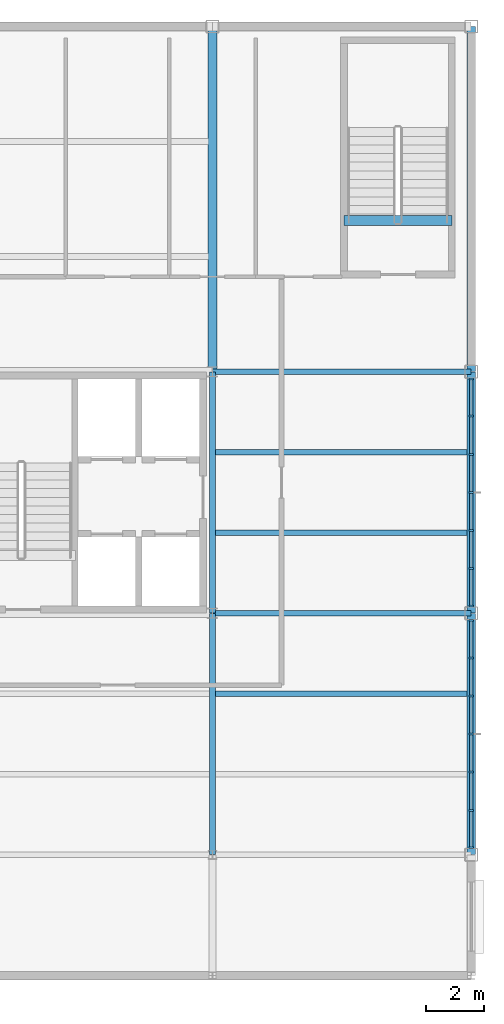
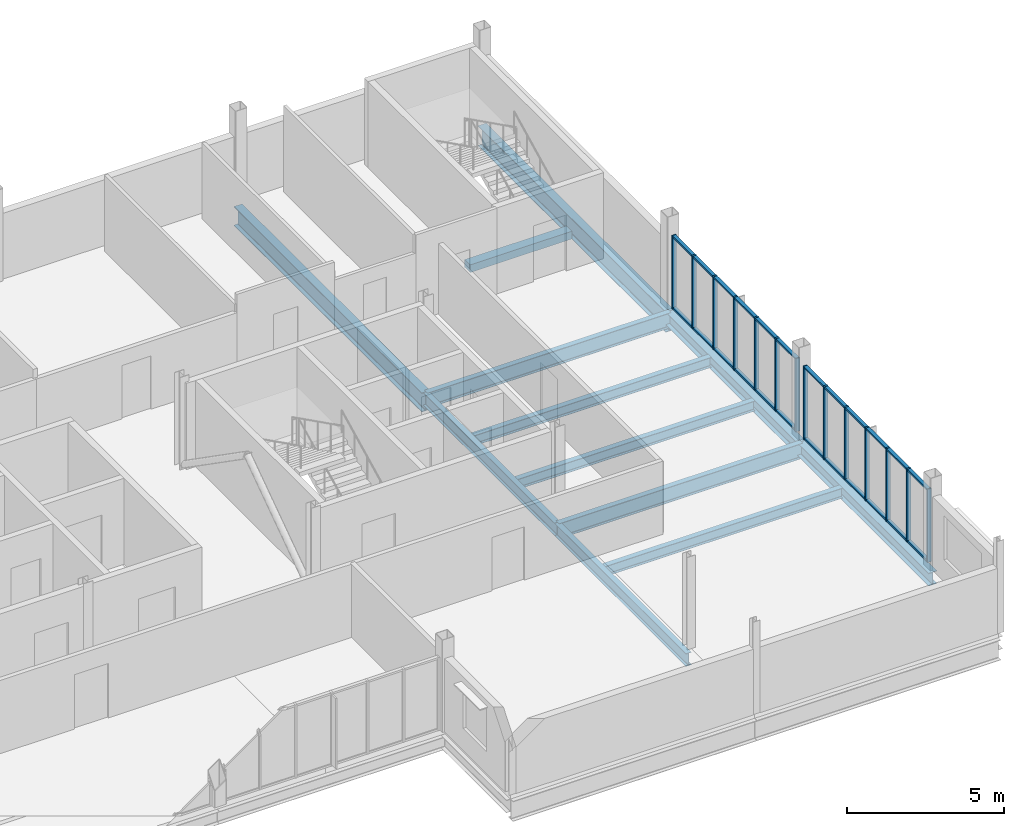
# One storey, part 8 of 16: 38 members, 12 beams, 2 elements without a shape of their own.
"""IFC4 building model written with IfcOpenShell, lengths in metres."""

from ifc_helpers import new_model, si_unit, direction, frame, origin, origin_2d, place, context, subcontext, project, spatial, rectangle, i_section, extrude, material, layer, layer_set, material_profile, profile_set, type_object, element, aggregate, save


model = new_model("IFC4")

# Units and contexts
model_context = context("Model", 3, precision=1e-05, world=origin(), true_north=direction((0.0, 1.0)))
body_context = subcontext(model_context, "Body", "Model", "MODEL_VIEW")
ifc_project = project(units=[si_unit("LENGTHUNIT", "METRE"), si_unit("AREAUNIT", "SQUARE_METRE"), si_unit("VOLUMEUNIT", "CUBIC_METRE"), si_unit("PLANEANGLEUNIT", "RADIAN"), si_unit("MASSUNIT", "GRAM", prefix="KILO")], contexts=[model_context])

# Site, building, storey
site_placement = place(None, origin())
site = spatial("IfcSite", under=ifc_project, at=site_placement, CompositionType="ELEMENT")
building_placement = place(site_placement, origin())
building = spatial("IfcBuilding", under=site, at=building_placement, Name="Yukiwa Park Conservatory and Herbarium", CompositionType="ELEMENT")
storey_placement = place(building_placement, frame((0.0, 0.0, 43.199951171875)))
storey = spatial("IfcBuildingStorey", under=building, at=storey_placement, Name="L11", CompositionType="ELEMENT", Elevation=43.199951171875)

# Beams
ifc_material_1 = material(Name="Steel Q355D", Category="steel")
ifc_material_profile_1 = material_profile(ifc_material_1, i_section(OverallWidth=0.199951171875, OverallDepth=0.5, WebThickness=0.010009765625, FlangeThickness=0.01611328125, FilletRadius=0.02001953125, at=origin_2d()), Name="HN 500x200x10x16")
ifc_profile_set_1 = profile_set([ifc_material_profile_1], Name="Steel Q355D")
beam_type_1 = type_object("IfcBeamType", Name="BM-GRD-HN500", PredefinedType="BEAM", material=ifc_profile_set_1)
beam_1_placement = place(storey_placement, frame((159.0, 86.406005859375, -0.508056640625), z_axis=(0.0, 1.0, 0.0), x_axis=(-1.0, 0.0, 0.0)))
element("IfcBeam", 1, at=beam_1_placement, inside=storey, type_object=beam_type_1, Name="L11 grid girder Y-36", PredefinedType="BEAM", context=body_context, shape_type="SweptSolid", body=[
    extrude(i_section(OverallWidth=0.199951171875, OverallDepth=0.5, WebThickness=0.010009765625, FlangeThickness=0.01611328125, FilletRadius=0.02001953125, at=origin_2d()), origin(), (0.0, 0.0, 1.0), 8.387939453125),
])
beam_2_placement = place(storey_placement, frame((159.0, 94.805908203125, -0.508056640625), z_axis=(0.0, 1.0, 0.0), x_axis=(-1.0, 0.0, 0.0)))
element("IfcBeam", 2, at=beam_2_placement, inside=storey, type_object=beam_type_1, Name="L11 grid girder Y-37", PredefinedType="BEAM", context=body_context, shape_type="SweptSolid", body=[
    extrude(i_section(OverallWidth=0.199951171875, OverallDepth=0.5, WebThickness=0.010009765625, FlangeThickness=0.01611328125, FilletRadius=0.02001953125, at=origin_2d()), origin(), (0.0, 0.0, 1.0), 8.38818359375),
])
ifc_material_2 = material(Name="Steel Q355D", Category="steel")
ifc_material_profile_2 = material_profile(ifc_material_2, i_section(OverallWidth=0.198974609375, OverallDepth=0.595947265625, WebThickness=0.010009765625, FlangeThickness=0.014892578125, FilletRadius=0.02197265625, at=origin_2d()), Name="HN 596x199x10x15")
ifc_profile_set_2 = profile_set([ifc_material_profile_2], Name="Steel Q355D")
beam_type_2 = type_object("IfcBeamType", Name="BM-GRD-HN596", PredefinedType="BEAM", material=ifc_profile_set_2)
for number, where, z_axis, x_axis, name in (
    (3, (159.006103515625, 94.800048828125, -0.555908203125), (1.0, 0.0, 0.0), (0.0, 1.0, 0.0), "L11 grid beam X-12"),
    (4, (159.006103515625, 103.199951171875, -0.555908203125), (1.0, 0.0, 0.0), (0.0, 1.0, 0.0), "L11 grid beam X-17"),
):
    element("IfcBeam", number, at=place(storey_placement, frame(where, z_axis=z_axis, x_axis=x_axis)), inside=storey, type_object=beam_type_2, Name=name, PredefinedType="BEAM", context=body_context, shape_type="SweptSolid", body=[
        extrude(i_section(OverallWidth=0.198974609375, OverallDepth=0.595947265625, WebThickness=0.010009765625, FlangeThickness=0.014892578125, FilletRadius=0.02197265625, at=origin_2d()), origin(), (0.0, 0.0, 1.0), 8.98779296875),
    ])
ifc_material_3 = material(Name="Steel Q355D", Category="steel")
ifc_material_profile_3 = material_profile(ifc_material_3, i_section(OverallWidth=0.300048828125, OverallDepth=0.75, WebThickness=0.012939453125, FlangeThickness=0.02392578125, FilletRadius=0.028076171875, at=origin_2d()), Name="HN 750x300x13x24")
ifc_profile_set_3 = profile_set([ifc_material_profile_3], Name="Steel Q355D")
beam_type_3 = type_object("IfcBeamType", Name="BM-GRD-HN750", PredefinedType="BEAM", material=ifc_profile_set_3)
beam_3_placement = place(storey_placement, frame((159.0, 103.2060546875, -0.633056640625), z_axis=(0.0, 1.0, 0.0), x_axis=(-1.0, 0.0, 0.0)))
element("IfcBeam", 5, at=beam_3_placement, inside=storey, type_object=beam_type_3, Name="L11 grid girder Y-38", PredefinedType="BEAM", context=body_context, shape_type="SweptSolid", body=[
    extrude(i_section(OverallWidth=0.300048828125, OverallDepth=0.75, WebThickness=0.012939453125, FlangeThickness=0.02392578125, FilletRadius=0.028076171875, at=origin_2d()), origin(), (0.0, 0.0, 1.0), 11.988037109375),
])
ifc_material_4 = material(Name="Steel Q355D", Category="steel")
ifc_material_profile_4 = material_profile(ifc_material_4, i_section(OverallWidth=0.199951171875, OverallDepth=0.39990234375, WebThickness=0.008056640625, FlangeThickness=0.012939453125, FilletRadius=0.01611328125, at=origin_2d()), Name="HN 400x200x8x13")
ifc_profile_set_4 = profile_set([ifc_material_profile_4], Name="Steel Q355D")
beam_type_4 = type_object("IfcBeamType", Name="BM-JST-HN400", PredefinedType="JOIST", material=ifc_profile_set_4)
for number, where, z_axis, x_axis, name in (
    (6, (159.095947265625, 92.0, -0.4580078125), (1.0, 0.0, 0.0), (0.0, 1.0, 0.0), "L11 composite floor joist 20"),
    (7, (159.095947265625, 97.60009765625, -0.4580078125), (1.0, 0.0, 0.0), (0.0, 1.0, 0.0), "L11 composite floor joist 21"),
    (8, (159.095947265625, 100.39990234375, -0.4580078125), (1.0, 0.0, 0.0), (0.0, 1.0, 0.0), "L11 composite floor joist 22"),
):
    element("IfcBeam", number, at=place(storey_placement, frame(where, z_axis=z_axis, x_axis=x_axis)), inside=storey, type_object=beam_type_4, Name=name, PredefinedType="JOIST", context=body_context, shape_type="SweptSolid", body=[
        extrude(i_section(OverallWidth=0.199951171875, OverallDepth=0.39990234375, WebThickness=0.008056640625, FlangeThickness=0.012939453125, FilletRadius=0.01611328125, at=origin_2d()), origin(), (0.0, 0.0, 1.0), 8.758056640625),
    ])
ifc_material_5 = material(Name="Steel Q355D", Category="steel")
ifc_material_profile_5 = material_profile(ifc_material_5, i_section(OverallWidth=0.300048828125, OverallDepth=0.5, WebThickness=0.010986328125, FlangeThickness=0.01806640625, FilletRadius=0.02392578125, at=origin_2d()), Name="HM 500x300x11x18")
ifc_profile_set_5 = profile_set([ifc_material_profile_5], Name="Steel Q355D")
beam_type_5 = type_object("IfcBeamType", Name="BM-SPN-HN500", PredefinedType="SPANDREL", material=ifc_profile_set_5)
beam_4_placement = place(storey_placement, frame((168.0, 86.406005859375, -0.508056640625), z_axis=(0.0, 1.0, 0.0), x_axis=(-1.0, 0.0, 0.0)))
element("IfcBeam", 9, at=beam_4_placement, inside=storey, type_object=beam_type_5, Name="L11 spandrel girder Y-40", PredefinedType="SPANDREL", context=body_context, shape_type="SweptSolid", body=[
    extrude(i_section(OverallWidth=0.300048828125, OverallDepth=0.5, WebThickness=0.010986328125, FlangeThickness=0.01806640625, FilletRadius=0.02392578125, at=origin_2d()), origin(), (0.0, 0.0, 1.0), 8.387939453125),
])
beam_5_placement = place(storey_placement, frame((168.0, 94.805908203125, -0.508056640625), z_axis=(0.0, 1.0, 0.0), x_axis=(-1.0, 0.0, 0.0)))
element("IfcBeam", 10, at=beam_5_placement, inside=storey, type_object=beam_type_5, Name="L11 spandrel girder Y-41", PredefinedType="SPANDREL", context=body_context, shape_type="SweptSolid", body=[
    extrude(i_section(OverallWidth=0.300048828125, OverallDepth=0.5, WebThickness=0.010986328125, FlangeThickness=0.01806640625, FilletRadius=0.02392578125, at=origin_2d()), origin(), (0.0, 0.0, 1.0), 8.38818359375),
])
ifc_material_6 = material(Name="Steel Q355D", Category="steel")
ifc_material_profile_6 = material_profile(ifc_material_6, i_section(OverallWidth=0.300048828125, OverallDepth=0.7919921875, WebThickness=0.013916015625, FlangeThickness=0.02197265625, FilletRadius=0.028076171875, at=origin_2d()), Name="HN 792x300x14x22")
ifc_profile_set_6 = profile_set([ifc_material_profile_6], Name="Steel Q355D")
beam_type_6 = type_object("IfcBeamType", Name="BM-SPN-HN600", PredefinedType="SPANDREL", material=ifc_profile_set_6)
beam_6_placement = place(storey_placement, frame((168.0, 103.2060546875, -0.654052734375), z_axis=(0.0, 1.0, 0.0), x_axis=(-1.0, 0.0, 0.0)))
element("IfcBeam", 11, at=beam_6_placement, inside=storey, type_object=beam_type_6, Name="L11 spandrel girder Y-42", PredefinedType="SPANDREL", context=body_context, shape_type="SweptSolid", body=[
    extrude(i_section(OverallWidth=0.300048828125, OverallDepth=0.7919921875, WebThickness=0.013916015625, FlangeThickness=0.02197265625, FilletRadius=0.028076171875, at=origin_2d()), origin(), (0.0, 0.0, 1.0), 11.988037109375),
])
ifc_material_7 = material(Name="Concrete C40", Category="concrete")
ifc_material_profile_7 = material_profile(ifc_material_7, rectangle(XDim=0.35009765625, YDim=0.300048828125, at=origin_2d()), Name="RC 350x300")
ifc_profile_set_7 = profile_set([ifc_material_profile_7], Name="Concrete C40")
beam_type_7 = type_object("IfcBeamType", Name="BM-STAIR-TRIM", PredefinedType="BEAM", material=ifc_profile_set_7)
beam_7_placement = place(storey_placement, frame((163.570068359375, 108.4599609375, -0.14990234375), z_axis=(1.0, 0.0, 0.0), x_axis=(0.0, 1.0, 0.0)))
element("IfcBeam", 12, at=beam_7_placement, inside=storey, type_object=beam_type_7, Name="Stair ST-T3 L11 landing trimmer beam", PredefinedType="BEAM", context=body_context, shape_type="SweptSolid", body=[
    extrude(rectangle(XDim=0.35009765625, YDim=0.300048828125, at=origin_2d()), origin(), (0.0, 0.0, 1.0), 3.75),
])

# Curtain wall, members
ifc_material_8 = material(Name="Triple Low-E Insulated Glass", Category="glass")
ifc_layer = layer(ifc_material_8, 0.22412109375)
ifc_layer_set = layer_set([ifc_layer], Name="Triple Low-E Insulated Glass")
curtain_wall_type = type_object("IfcCurtainWallType", Name="CW-TOWER-CORNER-1400", PredefinedType="NOTDEFINED", material=ifc_layer_set)
curtain_wall_1_placement = place(storey_placement, origin())
curtain_wall_1 = element("IfcCurtainWall", 13, at=curtain_wall_1_placement, inside=storey, type_object=curtain_wall_type, Name="L11 unitised curtain wall CW-L11-112", PredefinedType="NOTDEFINED")
ifc_material_9 = material(Name="Anodised Aluminium", Category="aluminium")
member_type_1 = type_object("IfcMemberType", Name="MB-CW-MUL-70X150", PredefinedType="MULLION", material=ifc_material_9)
member_1_placement = place(storey_placement, frame((168.0, 86.659912109375, 0.0), z_axis=(0.0, 0.0, 1.0), x_axis=(0.0, 1.0, 0.0)))
member_1 = element("IfcMember", 14, at=member_1_placement, type_object=member_type_1, Name="CW-L11-112 mullion 1", PredefinedType="MULLION", context=body_context, shape_type="SweptSolid", body=[
    extrude(rectangle(XDim=0.070068359375, YDim=0.14990234375, at=origin_2d()), origin(), (0.0, 0.0, 1.0), 2.85400390625),
])
member_2_placement = place(storey_placement, frame((168.0, 87.949951171875, 0.0), z_axis=(0.0, 0.0, 1.0), x_axis=(0.0, 1.0, 0.0)))
member_2 = element("IfcMember", 15, at=member_2_placement, type_object=member_type_1, Name="CW-L11-112 mullion 2", PredefinedType="MULLION", context=body_context, shape_type="SweptSolid", body=[
    extrude(rectangle(XDim=0.070068359375, YDim=0.14990234375, at=origin_2d()), origin(), (0.0, 0.0, 1.0), 2.85400390625),
])
member_3_placement = place(storey_placement, frame((168.0, 89.27490234375, 0.0), z_axis=(0.0, 0.0, 1.0), x_axis=(0.0, 1.0, 0.0)))
member_3 = element("IfcMember", 16, at=member_3_placement, type_object=member_type_1, Name="CW-L11-112 mullion 3", PredefinedType="MULLION", context=body_context, shape_type="SweptSolid", body=[
    extrude(rectangle(XDim=0.070068359375, YDim=0.14990234375, at=origin_2d()), origin(), (0.0, 0.0, 1.0), 2.85400390625),
])
member_4_placement = place(storey_placement, frame((168.0, 90.60009765625, 0.0), z_axis=(0.0, 0.0, 1.0), x_axis=(0.0, 1.0, 0.0)))
member_4 = element("IfcMember", 17, at=member_4_placement, type_object=member_type_1, Name="CW-L11-112 mullion 4", PredefinedType="MULLION", context=body_context, shape_type="SweptSolid", body=[
    extrude(rectangle(XDim=0.070068359375, YDim=0.14990234375, at=origin_2d()), origin(), (0.0, 0.0, 1.0), 2.85400390625),
])
member_5_placement = place(storey_placement, frame((168.0, 91.925048828125, 0.0), z_axis=(0.0, 0.0, 1.0), x_axis=(0.0, 1.0, 0.0)))
member_5 = element("IfcMember", 18, at=member_5_placement, type_object=member_type_1, Name="CW-L11-112 mullion 5", PredefinedType="MULLION", context=body_context, shape_type="SweptSolid", body=[
    extrude(rectangle(XDim=0.070068359375, YDim=0.14990234375, at=origin_2d()), origin(), (0.0, 0.0, 1.0), 2.85400390625),
])
member_6_placement = place(storey_placement, frame((168.0, 93.25, 0.0), z_axis=(0.0, 0.0, 1.0), x_axis=(0.0, 1.0, 0.0)))
member_6 = element("IfcMember", 19, at=member_6_placement, type_object=member_type_1, Name="CW-L11-112 mullion 6", PredefinedType="MULLION", context=body_context, shape_type="SweptSolid", body=[
    extrude(rectangle(XDim=0.070068359375, YDim=0.14990234375, at=origin_2d()), origin(), (0.0, 0.0, 1.0), 2.85400390625),
])
member_7_placement = place(storey_placement, frame((168.0, 94.5400390625, 0.0), z_axis=(0.0, 0.0, 1.0), x_axis=(0.0, 1.0, 0.0)))
member_7 = element("IfcMember", 20, at=member_7_placement, type_object=member_type_1, Name="CW-L11-112 mullion 7", PredefinedType="MULLION", context=body_context, shape_type="SweptSolid", body=[
    extrude(rectangle(XDim=0.070068359375, YDim=0.14990234375, at=origin_2d()), origin(), (0.0, 0.0, 1.0), 2.85400390625),
])

curtain_wall_2_placement = place(storey_placement, origin())
curtain_wall_2 = element("IfcCurtainWall", 21, at=curtain_wall_2_placement, inside=storey, type_object=curtain_wall_type, Name="L11 unitised curtain wall CW-L11-113", PredefinedType="NOTDEFINED")
member_8_placement = place(storey_placement, frame((168.0, 95.06005859375, 0.0), z_axis=(0.0, 0.0, 1.0), x_axis=(0.0, 1.0, 0.0)))
member_8 = element("IfcMember", 22, at=member_8_placement, type_object=member_type_1, Name="CW-L11-113 mullion 1", PredefinedType="MULLION", context=body_context, shape_type="SweptSolid", body=[
    extrude(rectangle(XDim=0.070068359375, YDim=0.14990234375, at=origin_2d()), origin(), (0.0, 0.0, 1.0), 2.85400390625),
])
member_9_placement = place(storey_placement, frame((168.0, 96.35009765625, 0.0), z_axis=(0.0, 0.0, 1.0), x_axis=(0.0, 1.0, 0.0)))
member_9 = element("IfcMember", 23, at=member_9_placement, type_object=member_type_1, Name="CW-L11-113 mullion 2", PredefinedType="MULLION", context=body_context, shape_type="SweptSolid", body=[
    extrude(rectangle(XDim=0.070068359375, YDim=0.14990234375, at=origin_2d()), origin(), (0.0, 0.0, 1.0), 2.85400390625),
])
member_10_placement = place(storey_placement, frame((168.0, 97.675048828125, 0.0), z_axis=(0.0, 0.0, 1.0), x_axis=(0.0, 1.0, 0.0)))
member_10 = element("IfcMember", 24, at=member_10_placement, type_object=member_type_1, Name="CW-L11-113 mullion 3", PredefinedType="MULLION", context=body_context, shape_type="SweptSolid", body=[
    extrude(rectangle(XDim=0.070068359375, YDim=0.14990234375, at=origin_2d()), origin(), (0.0, 0.0, 1.0), 2.85400390625),
])
member_11_placement = place(storey_placement, frame((168.0, 99.0, 0.0), z_axis=(0.0, 0.0, 1.0), x_axis=(0.0, 1.0, 0.0)))
member_11 = element("IfcMember", 25, at=member_11_placement, type_object=member_type_1, Name="CW-L11-113 mullion 4", PredefinedType="MULLION", context=body_context, shape_type="SweptSolid", body=[
    extrude(rectangle(XDim=0.070068359375, YDim=0.14990234375, at=origin_2d()), origin(), (0.0, 0.0, 1.0), 2.85400390625),
])
member_12_placement = place(storey_placement, frame((168.0, 100.324951171875, 0.0), z_axis=(0.0, 0.0, 1.0), x_axis=(0.0, 1.0, 0.0)))
member_12 = element("IfcMember", 26, at=member_12_placement, type_object=member_type_1, Name="CW-L11-113 mullion 5", PredefinedType="MULLION", context=body_context, shape_type="SweptSolid", body=[
    extrude(rectangle(XDim=0.070068359375, YDim=0.14990234375, at=origin_2d()), origin(), (0.0, 0.0, 1.0), 2.85400390625),
])
member_13_placement = place(storey_placement, frame((168.0, 101.64990234375, 0.0), z_axis=(0.0, 0.0, 1.0), x_axis=(0.0, 1.0, 0.0)))
member_13 = element("IfcMember", 27, at=member_13_placement, type_object=member_type_1, Name="CW-L11-113 mullion 6", PredefinedType="MULLION", context=body_context, shape_type="SweptSolid", body=[
    extrude(rectangle(XDim=0.070068359375, YDim=0.14990234375, at=origin_2d()), origin(), (0.0, 0.0, 1.0), 2.85400390625),
])
member_14_placement = place(storey_placement, frame((168.0, 102.93994140625, 0.0), z_axis=(0.0, 0.0, 1.0), x_axis=(0.0, 1.0, 0.0)))
member_14 = element("IfcMember", 28, at=member_14_placement, type_object=member_type_1, Name="CW-L11-113 mullion 7", PredefinedType="MULLION", context=body_context, shape_type="SweptSolid", body=[
    extrude(rectangle(XDim=0.070068359375, YDim=0.14990234375, at=origin_2d()), origin(), (0.0, 0.0, 1.0), 2.85400390625),
])

# Member
ifc_material_10 = material(Name="Anodised Aluminium", Category="aluminium")
member_type_2 = type_object("IfcMemberType", Name="MB-CW-TRN-70X130", PredefinedType="USERDEFINED", material=ifc_material_10)
member_15_placement = place(storey_placement, frame((168.0, 87.28759765625, 0.0), z_axis=(0.0, 0.0, 1.0), x_axis=(0.0, 1.0, 0.0)))
member_15 = element("IfcMember", 29, at=member_15_placement, type_object=member_type_2, Name="CW-L11-112 transom 1.1", ObjectType="TRANSOM", PredefinedType="USERDEFINED", context=body_context, shape_type="SweptSolid", body=[
    extrude(rectangle(XDim=1.2548828125, YDim=0.1298828125, at=origin_2d()), origin(), (0.0, 0.0, 1.0), 0.070068359375),
])

member_16_placement = place(storey_placement, frame((168.0, 87.28759765625, 2.7841796875), z_axis=(0.0, 0.0, 1.0), x_axis=(0.0, 1.0, 0.0)))
member_16 = element("IfcMember", 30, at=member_16_placement, type_object=member_type_2, Name="CW-L11-112 transom 1.2", ObjectType="TRANSOM", PredefinedType="USERDEFINED", context=body_context, shape_type="SweptSolid", body=[
    extrude(rectangle(XDim=1.2548828125, YDim=0.1298828125, at=origin_2d()), origin(), (0.0, 0.0, 1.0), 0.070068359375),
])

member_17_placement = place(storey_placement, frame((168.0, 88.612548828125, 0.0), z_axis=(0.0, 0.0, 1.0), x_axis=(0.0, 1.0, 0.0)))
member_17 = element("IfcMember", 31, at=member_17_placement, type_object=member_type_2, Name="CW-L11-112 transom 2.1", ObjectType="TRANSOM", PredefinedType="USERDEFINED", context=body_context, shape_type="SweptSolid", body=[
    extrude(rectangle(XDim=1.2548828125, YDim=0.1298828125, at=origin_2d()), origin(), (0.0, 0.0, 1.0), 0.070068359375),
])

member_18_placement = place(storey_placement, frame((168.0, 88.612548828125, 2.7841796875), z_axis=(0.0, 0.0, 1.0), x_axis=(0.0, 1.0, 0.0)))
member_18 = element("IfcMember", 32, at=member_18_placement, type_object=member_type_2, Name="CW-L11-112 transom 2.2", ObjectType="TRANSOM", PredefinedType="USERDEFINED", context=body_context, shape_type="SweptSolid", body=[
    extrude(rectangle(XDim=1.2548828125, YDim=0.1298828125, at=origin_2d()), origin(), (0.0, 0.0, 1.0), 0.070068359375),
])

member_19_placement = place(storey_placement, frame((168.0, 89.9375, 0.0), z_axis=(0.0, 0.0, 1.0), x_axis=(0.0, 1.0, 0.0)))
member_19 = element("IfcMember", 33, at=member_19_placement, type_object=member_type_2, Name="CW-L11-112 transom 3.1", ObjectType="TRANSOM", PredefinedType="USERDEFINED", context=body_context, shape_type="SweptSolid", body=[
    extrude(rectangle(XDim=1.2548828125, YDim=0.1298828125, at=origin_2d()), origin(), (0.0, 0.0, 1.0), 0.070068359375),
])

member_20_placement = place(storey_placement, frame((168.0, 89.9375, 2.7841796875), z_axis=(0.0, 0.0, 1.0), x_axis=(0.0, 1.0, 0.0)))
member_20 = element("IfcMember", 34, at=member_20_placement, type_object=member_type_2, Name="CW-L11-112 transom 3.2", ObjectType="TRANSOM", PredefinedType="USERDEFINED", context=body_context, shape_type="SweptSolid", body=[
    extrude(rectangle(XDim=1.2548828125, YDim=0.1298828125, at=origin_2d()), origin(), (0.0, 0.0, 1.0), 0.070068359375),
])

member_21_placement = place(storey_placement, frame((168.0, 91.262451171875, 0.0), z_axis=(0.0, 0.0, 1.0), x_axis=(0.0, 1.0, 0.0)))
member_21 = element("IfcMember", 35, at=member_21_placement, type_object=member_type_2, Name="CW-L11-112 transom 4.1", ObjectType="TRANSOM", PredefinedType="USERDEFINED", context=body_context, shape_type="SweptSolid", body=[
    extrude(rectangle(XDim=1.2548828125, YDim=0.1298828125, at=origin_2d()), origin(), (0.0, 0.0, 1.0), 0.070068359375),
])

member_22_placement = place(storey_placement, frame((168.0, 91.262451171875, 2.7841796875), z_axis=(0.0, 0.0, 1.0), x_axis=(0.0, 1.0, 0.0)))
member_22 = element("IfcMember", 36, at=member_22_placement, type_object=member_type_2, Name="CW-L11-112 transom 4.2", ObjectType="TRANSOM", PredefinedType="USERDEFINED", context=body_context, shape_type="SweptSolid", body=[
    extrude(rectangle(XDim=1.2548828125, YDim=0.1298828125, at=origin_2d()), origin(), (0.0, 0.0, 1.0), 0.070068359375),
])

member_23_placement = place(storey_placement, frame((168.0, 92.58740234375, 0.0), z_axis=(0.0, 0.0, 1.0), x_axis=(0.0, 1.0, 0.0)))
member_23 = element("IfcMember", 37, at=member_23_placement, type_object=member_type_2, Name="CW-L11-112 transom 5.1", ObjectType="TRANSOM", PredefinedType="USERDEFINED", context=body_context, shape_type="SweptSolid", body=[
    extrude(rectangle(XDim=1.2548828125, YDim=0.1298828125, at=origin_2d()), origin(), (0.0, 0.0, 1.0), 0.070068359375),
])

member_24_placement = place(storey_placement, frame((168.0, 92.58740234375, 2.7841796875), z_axis=(0.0, 0.0, 1.0), x_axis=(0.0, 1.0, 0.0)))
member_24 = element("IfcMember", 38, at=member_24_placement, type_object=member_type_2, Name="CW-L11-112 transom 5.2", ObjectType="TRANSOM", PredefinedType="USERDEFINED", context=body_context, shape_type="SweptSolid", body=[
    extrude(rectangle(XDim=1.2548828125, YDim=0.1298828125, at=origin_2d()), origin(), (0.0, 0.0, 1.0), 0.070068359375),
])

member_25_placement = place(storey_placement, frame((168.0, 93.91259765625, 0.0), z_axis=(0.0, 0.0, 1.0), x_axis=(0.0, 1.0, 0.0)))
member_25 = element("IfcMember", 39, at=member_25_placement, type_object=member_type_2, Name="CW-L11-112 transom 6.1", ObjectType="TRANSOM", PredefinedType="USERDEFINED", context=body_context, shape_type="SweptSolid", body=[
    extrude(rectangle(XDim=1.2548828125, YDim=0.1298828125, at=origin_2d()), origin(), (0.0, 0.0, 1.0), 0.070068359375),
])

member_26_placement = place(storey_placement, frame((168.0, 93.91259765625, 2.7841796875), z_axis=(0.0, 0.0, 1.0), x_axis=(0.0, 1.0, 0.0)))
member_26 = element("IfcMember", 40, at=member_26_placement, type_object=member_type_2, Name="CW-L11-112 transom 6.2", ObjectType="TRANSOM", PredefinedType="USERDEFINED", context=body_context, shape_type="SweptSolid", body=[
    extrude(rectangle(XDim=1.2548828125, YDim=0.1298828125, at=origin_2d()), origin(), (0.0, 0.0, 1.0), 0.070068359375),
])

aggregate(curtain_wall_1, [member_1, member_2, member_3, member_4, member_5, member_6, member_7, member_15, member_16, member_17, member_18, member_19, member_20, member_21, member_22, member_23, member_24, member_25, member_26])

member_27_placement = place(storey_placement, frame((168.0, 95.6875, 0.0), z_axis=(0.0, 0.0, 1.0), x_axis=(0.0, 1.0, 0.0)))
member_27 = element("IfcMember", 41, at=member_27_placement, type_object=member_type_2, Name="CW-L11-113 transom 1.1", ObjectType="TRANSOM", PredefinedType="USERDEFINED", context=body_context, shape_type="SweptSolid", body=[
    extrude(rectangle(XDim=1.2548828125, YDim=0.1298828125, at=origin_2d()), origin(), (0.0, 0.0, 1.0), 0.070068359375),
])

member_28_placement = place(storey_placement, frame((168.0, 95.6875, 2.7841796875), z_axis=(0.0, 0.0, 1.0), x_axis=(0.0, 1.0, 0.0)))
member_28 = element("IfcMember", 42, at=member_28_placement, type_object=member_type_2, Name="CW-L11-113 transom 1.2", ObjectType="TRANSOM", PredefinedType="USERDEFINED", context=body_context, shape_type="SweptSolid", body=[
    extrude(rectangle(XDim=1.2548828125, YDim=0.1298828125, at=origin_2d()), origin(), (0.0, 0.0, 1.0), 0.070068359375),
])

member_29_placement = place(storey_placement, frame((168.0, 97.012451171875, 0.0), z_axis=(0.0, 0.0, 1.0), x_axis=(0.0, 1.0, 0.0)))
member_29 = element("IfcMember", 43, at=member_29_placement, type_object=member_type_2, Name="CW-L11-113 transom 2.1", ObjectType="TRANSOM", PredefinedType="USERDEFINED", context=body_context, shape_type="SweptSolid", body=[
    extrude(rectangle(XDim=1.2548828125, YDim=0.1298828125, at=origin_2d()), origin(), (0.0, 0.0, 1.0), 0.070068359375),
])

member_30_placement = place(storey_placement, frame((168.0, 97.012451171875, 2.7841796875), z_axis=(0.0, 0.0, 1.0), x_axis=(0.0, 1.0, 0.0)))
member_30 = element("IfcMember", 44, at=member_30_placement, type_object=member_type_2, Name="CW-L11-113 transom 2.2", ObjectType="TRANSOM", PredefinedType="USERDEFINED", context=body_context, shape_type="SweptSolid", body=[
    extrude(rectangle(XDim=1.2548828125, YDim=0.1298828125, at=origin_2d()), origin(), (0.0, 0.0, 1.0), 0.070068359375),
])

member_31_placement = place(storey_placement, frame((168.0, 98.33740234375, 0.0), z_axis=(0.0, 0.0, 1.0), x_axis=(0.0, 1.0, 0.0)))
member_31 = element("IfcMember", 45, at=member_31_placement, type_object=member_type_2, Name="CW-L11-113 transom 3.1", ObjectType="TRANSOM", PredefinedType="USERDEFINED", context=body_context, shape_type="SweptSolid", body=[
    extrude(rectangle(XDim=1.2548828125, YDim=0.1298828125, at=origin_2d()), origin(), (0.0, 0.0, 1.0), 0.070068359375),
])

member_32_placement = place(storey_placement, frame((168.0, 98.33740234375, 2.7841796875), z_axis=(0.0, 0.0, 1.0), x_axis=(0.0, 1.0, 0.0)))
member_32 = element("IfcMember", 46, at=member_32_placement, type_object=member_type_2, Name="CW-L11-113 transom 3.2", ObjectType="TRANSOM", PredefinedType="USERDEFINED", context=body_context, shape_type="SweptSolid", body=[
    extrude(rectangle(XDim=1.2548828125, YDim=0.1298828125, at=origin_2d()), origin(), (0.0, 0.0, 1.0), 0.070068359375),
])

member_33_placement = place(storey_placement, frame((168.0, 99.66259765625, 0.0), z_axis=(0.0, 0.0, 1.0), x_axis=(0.0, 1.0, 0.0)))
member_33 = element("IfcMember", 47, at=member_33_placement, type_object=member_type_2, Name="CW-L11-113 transom 4.1", ObjectType="TRANSOM", PredefinedType="USERDEFINED", context=body_context, shape_type="SweptSolid", body=[
    extrude(rectangle(XDim=1.2548828125, YDim=0.1298828125, at=origin_2d()), origin(), (0.0, 0.0, 1.0), 0.070068359375),
])

member_34_placement = place(storey_placement, frame((168.0, 99.66259765625, 2.7841796875), z_axis=(0.0, 0.0, 1.0), x_axis=(0.0, 1.0, 0.0)))
member_34 = element("IfcMember", 48, at=member_34_placement, type_object=member_type_2, Name="CW-L11-113 transom 4.2", ObjectType="TRANSOM", PredefinedType="USERDEFINED", context=body_context, shape_type="SweptSolid", body=[
    extrude(rectangle(XDim=1.2548828125, YDim=0.1298828125, at=origin_2d()), origin(), (0.0, 0.0, 1.0), 0.070068359375),
])

member_35_placement = place(storey_placement, frame((168.0, 100.987548828125, 0.0), z_axis=(0.0, 0.0, 1.0), x_axis=(0.0, 1.0, 0.0)))
member_35 = element("IfcMember", 49, at=member_35_placement, type_object=member_type_2, Name="CW-L11-113 transom 5.1", ObjectType="TRANSOM", PredefinedType="USERDEFINED", context=body_context, shape_type="SweptSolid", body=[
    extrude(rectangle(XDim=1.2548828125, YDim=0.1298828125, at=origin_2d()), origin(), (0.0, 0.0, 1.0), 0.070068359375),
])

member_36_placement = place(storey_placement, frame((168.0, 100.987548828125, 2.7841796875), z_axis=(0.0, 0.0, 1.0), x_axis=(0.0, 1.0, 0.0)))
member_36 = element("IfcMember", 50, at=member_36_placement, type_object=member_type_2, Name="CW-L11-113 transom 5.2", ObjectType="TRANSOM", PredefinedType="USERDEFINED", context=body_context, shape_type="SweptSolid", body=[
    extrude(rectangle(XDim=1.2548828125, YDim=0.1298828125, at=origin_2d()), origin(), (0.0, 0.0, 1.0), 0.070068359375),
])

member_37_placement = place(storey_placement, frame((168.0, 102.3125, 0.0), z_axis=(0.0, 0.0, 1.0), x_axis=(0.0, 1.0, 0.0)))
member_37 = element("IfcMember", 51, at=member_37_placement, type_object=member_type_2, Name="CW-L11-113 transom 6.1", ObjectType="TRANSOM", PredefinedType="USERDEFINED", context=body_context, shape_type="SweptSolid", body=[
    extrude(rectangle(XDim=1.2548828125, YDim=0.1298828125, at=origin_2d()), origin(), (0.0, 0.0, 1.0), 0.070068359375),
])

member_38_placement = place(storey_placement, frame((168.0, 102.3125, 2.7841796875), z_axis=(0.0, 0.0, 1.0), x_axis=(0.0, 1.0, 0.0)))
member_38 = element("IfcMember", 52, at=member_38_placement, type_object=member_type_2, Name="CW-L11-113 transom 6.2", ObjectType="TRANSOM", PredefinedType="USERDEFINED", context=body_context, shape_type="SweptSolid", body=[
    extrude(rectangle(XDim=1.2548828125, YDim=0.1298828125, at=origin_2d()), origin(), (0.0, 0.0, 1.0), 0.070068359375),
])

aggregate(curtain_wall_2, [member_8, member_9, member_10, member_11, member_12, member_13, member_14, member_27, member_28, member_29, member_30, member_31, member_32, member_33, member_34, member_35, member_36, member_37, member_38])

save(model, "model.ifc")
